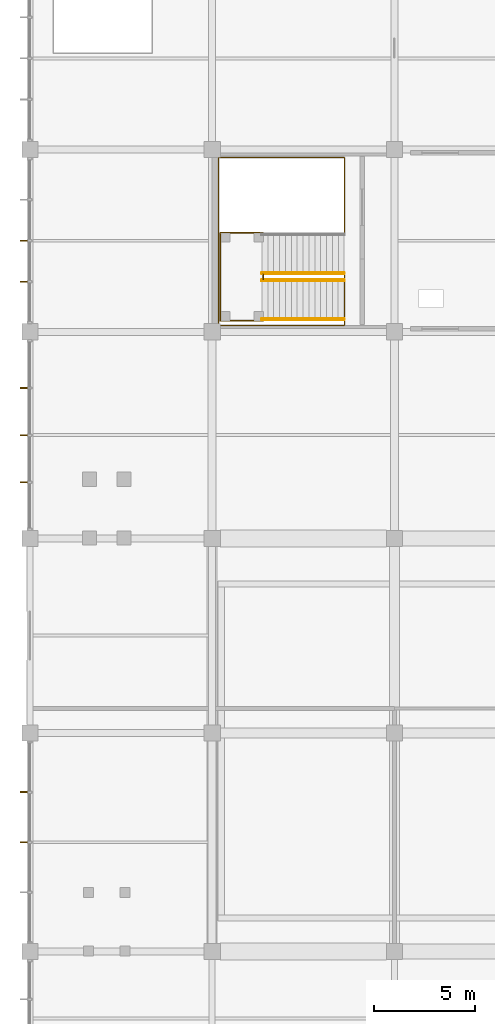
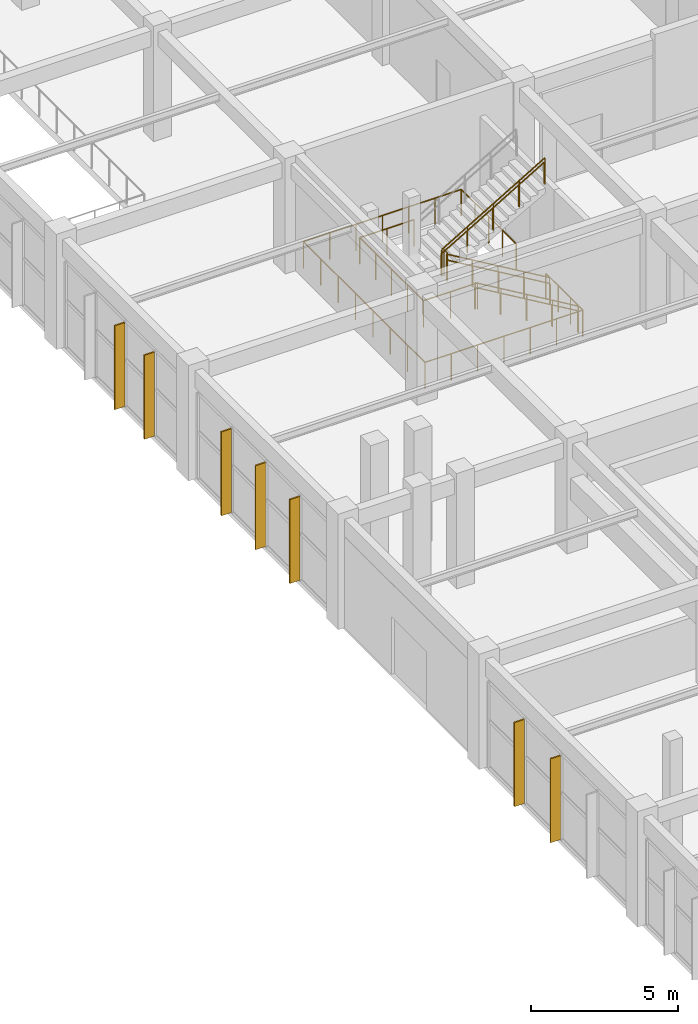
# One storey, part 65 of 82: 9 railings, 7 shading devices.
"""IFC4 building model written with IfcOpenShell, lengths in metres."""

import ifcopenshell
import ifcopenshell.guid

model = None  # the IFC model being written
_history = None  # IfcOwnerHistory: only IFC2X3 demands one
_inside = {}  # id of a spatial element -> (the spatial element, [elements in it])
_under = {}  # id of a project, library or spatial element -> (it, [spatial elements below it])
_declared = {}  # id of a project -> (the project, [libraries it declares])
_typed = {}  # id of a type object -> (the type object, [elements of that type])
_made_of = {}  # id of a material, layer set ... -> (it, [elements and type objects made of it])


def new_model(schema):
    """Start an empty IFC model of exactly this schema.

    Asked for "IFC4X3", IfcOpenShell would pick the latest addendum, in which some entities
    have other attributes; the version numbers below select the first issue.
    IFC2X3 requires an IfcOwnerHistory on every rooted entity: one is made here for all.
    """
    global model, _history
    if schema == "IFC4X3":
        model = ifcopenshell.file(schema_version=(4, 3, 0, 0))
    else:
        model = ifcopenshell.file(schema=schema)
    _inside.clear()
    _under.clear()
    _declared.clear()
    _typed.clear()
    _made_of.clear()
    _history = None
    if model.schema == "IFC2X3":
        org = make("IfcOrganization", Name="unknown")
        user = make(
            "IfcPersonAndOrganization",
            ThePerson=make("IfcPerson", FamilyName="unknown"),
            TheOrganization=org,
        )
        app = make(
            "IfcApplication",
            ApplicationDeveloper=org,
            Version="unknown",
            ApplicationFullName="unknown",
            ApplicationIdentifier="unknown",
        )
        _history = make(
            "IfcOwnerHistory",
            OwningUser=user,
            OwningApplication=app,
            ChangeAction="ADDED",
            CreationDate=0,
        )
    return model


def make(cls, **values):
    """One entity of the class cls with the attributes given. An attribute that is None is left unset."""
    return model.create_entity(
        cls, **{name: value for name, value in values.items() if value is not None}
    )


def rooted(cls, **values):
    """An entity with a GlobalId (a new one), such as an element, a storey or a relation."""
    return make(cls, GlobalId=ifcopenshell.guid.new(), OwnerHistory=_history, **values)


def si_unit(unit_type, name, prefix=None):
    """IfcSIUnit, for example si_unit("LENGTHUNIT", "METRE", prefix="MILLI")."""
    return make("IfcSIUnit", UnitType=unit_type, Prefix=prefix, Name=name)


def assignment(units):
    """IfcUnitAssignment: the units of a project."""
    return None if units is None else make("IfcUnitAssignment", Units=units)


def point(xyz):
    """IfcCartesianPoint."""
    return None if xyz is None else make("IfcCartesianPoint", Coordinates=xyz)


def direction(xyz):
    """IfcDirection."""
    return None if xyz is None else make("IfcDirection", DirectionRatios=xyz)


def frame(location, z_axis=None, x_axis=None):
    """IfcAxis2Placement3D, a coordinate frame: its origin and axes. An axis left out is left unset."""
    return make(
        "IfcAxis2Placement3D",
        Location=point(location),
        Axis=direction(z_axis),
        RefDirection=direction(x_axis),
    )


def frame_2d(location, x_axis=None):
    """IfcAxis2Placement2D, a coordinate frame in the plane: its origin and x axis."""
    return make(
        "IfcAxis2Placement2D", Location=point(location), RefDirection=direction(x_axis)
    )


def origin():
    """The frame at (0, 0, 0) with its axes left unset."""
    return frame((0.0, 0.0, 0.0))


def origin_2d():
    """The frame at (0, 0) in the plane with its x axis left unset."""
    return frame_2d((0.0, 0.0))


def place(relative_to, where):
    """IfcLocalPlacement: puts the frame where relative to a parent placement (None: the world)."""
    return make(
        "IfcLocalPlacement", PlacementRelTo=relative_to, RelativePlacement=where
    )


def context(
    kind, dimensions, precision=None, world=None, true_north=None, identifier=None
):
    """IfcGeometricRepresentationContext, for example the 3D "Model" context."""
    return make(
        "IfcGeometricRepresentationContext",
        ContextIdentifier=identifier,
        ContextType=kind,
        CoordinateSpaceDimension=dimensions,
        Precision=precision,
        WorldCoordinateSystem=world,
        TrueNorth=true_north,
    )


def subcontext(parent, identifier, kind, view, scale=None):
    """IfcGeometricRepresentationSubContext, for example "Body" below "Model"."""
    return make(
        "IfcGeometricRepresentationSubContext",
        ContextIdentifier=identifier,
        ContextType=kind,
        ParentContext=parent,
        TargetScale=scale,
        TargetView=view,
    )


def project(units=None, contexts=None):
    """IfcProject with its units and contexts."""
    return rooted(
        "IfcProject",
        Name="project",
        RepresentationContexts=contexts,
        UnitsInContext=assignment(units),
    )


def spatial(cls, under=None, at=None, **own):
    """A site, building, storey or space (cls), placed at a placement, below another one or the project."""
    s = rooted(cls, ObjectPlacement=at, **own)
    if under is not None:
        _under.setdefault(under.id(), (under, []))[1].append(s)
    return s


def profile(cls, at=None, kind="AREA", **sizes):
    """A parametric profile (cls). Its sizes go by their IFC names, for example OverallWidth=200.0."""
    return make(cls, ProfileType=kind, Position=at, **sizes)


def rectangle(**sizes):
    """IfcRectangleProfileDef."""
    return profile("IfcRectangleProfileDef", **sizes)


def circle(**sizes):
    """IfcCircleProfileDef."""
    return profile("IfcCircleProfileDef", **sizes)


def extrude(swept, where, along, depth):
    """IfcExtrudedAreaSolid: the profile swept, set in the frame where, extruded along a direction by depth."""
    return make(
        "IfcExtrudedAreaSolid",
        SweptArea=swept,
        Position=where,
        ExtrudedDirection=direction(along),
        Depth=depth,
    )


def shape(context_of_items, identifier, shape_type, items):
    """IfcShapeRepresentation: the items that make up one representation, for example the "Body"."""
    return make(
        "IfcShapeRepresentation",
        ContextOfItems=context_of_items,
        RepresentationIdentifier=identifier,
        RepresentationType=shape_type,
        Items=items,
    )


def material(Name=None, Category=None):
    """IfcMaterial."""
    return make("IfcMaterial", Name=Name, Category=Category)


def made_of(thing, what):
    """Note that an element or type object is made of a material, layer set ...; save() writes the relation."""
    if what is not None:
        _made_of.setdefault(what.id(), (what, []))[1].append(thing)
    return thing


def type_object(cls, material=None, **own):
    """A type object (cls), such as IfcWallType, which elements share."""
    return made_of(rooted(cls, **own), material)


def element(
    cls,
    number,
    at=None,
    inside=None,
    cuts=None,
    type_object=None,
    material=None,
    context=None,
    identifier="Body",
    shape_type=None,
    held_by="IfcProductDefinitionShape",
    body=None,
    shapes=None,
    **own,
):
    """One element of the class cls, such as IfcWall. Its Tag is "e" and its number.

    at: its placement. inside: the storey or other place that contains it. cuts: it is an
    opening in that element (IfcRelVoidsElement). A single representation is given by context,
    identifier, shape_type and body (its items); several are given by shapes. held_by: the class
    of the entity that holds the representations. save() writes the other relations.
    """
    e = rooted(cls, Tag="e%d" % number, ObjectPlacement=at, **own)
    if body is not None:
        shapes = [shape(context, identifier, shape_type, body)]
    if shapes is not None:
        e.Representation = make(held_by, Representations=shapes)
    if inside is not None:
        _inside.setdefault(inside.id(), (inside, []))[1].append(e)
    if cuts is not None:
        rooted(
            "IfcRelVoidsElement", RelatingBuildingElement=cuts, RelatedOpeningElement=e
        )
    if type_object is not None:
        _typed.setdefault(type_object.id(), (type_object, []))[1].append(e)
    return made_of(e, material)


def aggregate(whole, parts):
    """IfcRelAggregates: a whole, such as a stair, and the parts it consists of."""
    return rooted("IfcRelAggregates", RelatingObject=whole, RelatedObjects=parts)


def save(model, path):
    """Write the relations noted so far, then the file.

    IfcRelAggregates (storeys below a building ...), IfcRelContainedInSpatialStructure (elements
    in a storey), IfcRelDefinesByType, IfcRelAssociatesMaterial and IfcRelDeclares: one each for
    every whole, place, type object, material and project.
    """
    for whole, parts in _under.values():
        aggregate(whole, parts)
    for where, things in _inside.values():
        rooted(
            "IfcRelContainedInSpatialStructure",
            RelatedElements=things,
            RelatingStructure=where,
        )
    for kind, things in _typed.values():
        rooted("IfcRelDefinesByType", RelatedObjects=things, RelatingType=kind)
    for what, things in _made_of.values():
        rooted("IfcRelAssociatesMaterial", RelatedObjects=things, RelatingMaterial=what)
    for by, libraries in _declared.values():
        rooted("IfcRelDeclares", RelatingContext=by, RelatedDefinitions=libraries)
    model.write(path)


model = new_model("IFC4")

# Units and contexts
model_context = context("Model", 3, precision=1e-05, world=origin(), true_north=direction((0.0, 1.0)))
body_context = subcontext(model_context, "Body", "Model", "MODEL_VIEW")
ifc_project = project(units=[si_unit("LENGTHUNIT", "METRE"), si_unit("AREAUNIT", "SQUARE_METRE"), si_unit("VOLUMEUNIT", "CUBIC_METRE"), si_unit("PLANEANGLEUNIT", "RADIAN"), si_unit("MASSUNIT", "GRAM", prefix="KILO")], contexts=[model_context])

# Site, building, storey
site_placement = place(None, origin())
site = spatial("IfcSite", under=ifc_project, at=site_placement, CompositionType="ELEMENT")
building_placement = place(site_placement, origin())
building = spatial("IfcBuilding", under=site, at=building_placement, Name="Suirenkawa Promenade Aquatics Centre", CompositionType="ELEMENT")
storey_placement = place(building_placement, origin())
storey = spatial("IfcBuildingStorey", under=building, at=storey_placement, Name="L00", CompositionType="ELEMENT", Elevation=0.0)

# Railings
ifc_material_1 = material(Name="Marine-grade stainless steel Grade 316L", Category="steel")
railing_type_1 = type_object("IfcRailingType", Name="RLT-GUARD-1120", PredefinedType="GUARDRAIL", material=ifc_material_1)
for number, where, name in (
    (1, (15.514892578125, 61.9599609375, 0.0), "Guardrail GRD-01 RL-0061"),
    (2, (15.514892578125, 60.0, 0.0), "Guardrail GRD-01 RL-0063"),
):
    element("IfcRailing", number, at=place(storey_placement, frame(where)), inside=storey, type_object=railing_type_1, Name=name, PredefinedType="GUARDRAIL", context=body_context, shape_type="SweptSolid", body=[
        extrude(circle(Radius=0.02392578125, at=origin_2d()), frame((0.0, 0.0, 1.09619140625), z_axis=(-0.860840976868, 0.0, 0.508874063541), x_axis=(0.0, -1.0, 0.0)), (0.0, 0.0, 1.0), 4.716064453125),
        extrude(circle(Radius=0.02099609375, at=origin_2d()), origin(), (0.0, 0.0, 1.0), 1.072021484375),
        extrude(circle(Radius=0.02099609375, at=origin_2d()), frame((-1.014892578125, 0.0, 0.60009765625)), (0.0, 0.0, 1.0), 1.072021484375),
        extrude(circle(Radius=0.02099609375, at=origin_2d()), frame((-2.02978515625, 0.0, 1.199951171875)), (0.0, 0.0, 1.0), 1.072021484375),
        extrude(circle(Radius=0.02099609375, at=origin_2d()), frame((-3.044921875, 0.0, 1.7998046875)), (0.0, 0.0, 1.0), 1.072021484375),
        extrude(circle(Radius=0.02099609375, at=origin_2d()), frame((-4.059814453125, 0.0, 2.39990234375)), (0.0, 0.0, 1.0), 1.072021484375),
    ])
railing_1_placement = place(storey_placement, frame((11.455078125, 62.27001953125, 2.39990234375)))
element("IfcRailing", 3, at=railing_1_placement, inside=storey, type_object=railing_type_1, Name="Guardrail GRD-01 RL-0065", PredefinedType="GUARDRAIL", context=body_context, shape_type="SweptSolid", body=[
    extrude(circle(Radius=0.02392578125, at=origin_2d()), frame((0.0, 0.0, 1.09619140625), z_axis=(0.860818299379, 0.0, 0.50891242415), x_axis=(0.0, 1.0, 0.0)), (0.0, 0.0, 1.0), 4.71630859375),
    extrude(circle(Radius=0.02099609375, at=origin_2d()), origin(), (0.0, 0.0, 1.0), 1.072021484375),
    extrude(circle(Radius=0.02099609375, at=origin_2d()), frame((1.014892578125, 0.0, 0.60009765625)), (0.0, 0.0, 1.0), 1.072021484375),
    extrude(circle(Radius=0.02099609375, at=origin_2d()), frame((2.02978515625, 0.0, 1.2001953125)), (0.0, 0.0, 1.0), 1.072021484375),
    extrude(circle(Radius=0.02099609375, at=origin_2d()), frame((3.044921875, 0.0, 1.800048828125)), (0.0, 0.0, 1.0), 1.072021484375),
    extrude(circle(Radius=0.02099609375, at=origin_2d()), frame((4.059814453125, 0.0, 2.400146484375)), (0.0, 0.0, 1.0), 1.072021484375),
])
railing_2_placement = place(storey_placement, frame((11.52001953125, 59.949951171875, 2.39990234375)))
element("IfcRailing", 4, at=railing_2_placement, inside=storey, type_object=railing_type_1, Name="Guardrail GRD-01 RL-0069", PredefinedType="GUARDRAIL", context=body_context, shape_type="SweptSolid", body=[
    extrude(circle(Radius=0.02392578125, at=origin_2d()), frame((0.0, 0.0, 1.09619140625), z_axis=(-1.0, 0.0, 0.0), x_axis=(0.0, -1.0, 0.0)), (0.0, 0.0, 1.0), 2.130126953125),
    extrude(circle(Radius=0.02392578125, at=origin_2d()), frame((-2.130126953125, 0.0, 1.09619140625), z_axis=(0.0, 1.0, 0.0), x_axis=(-1.0, 0.0, 0.0)), (0.0, 0.0, 1.0), 4.330078125),
    extrude(circle(Radius=0.02392578125, at=origin_2d()), frame((-2.130126953125, 4.330078125, 1.09619140625), z_axis=(1.0, 0.0, 0.0), x_axis=(0.0, 1.0, 0.0)), (0.0, 0.0, 1.0), 2.130126953125),
    extrude(circle(Radius=0.02099609375, at=origin_2d()), origin(), (0.0, 0.0, 1.0), 1.072021484375),
    extrude(circle(Radius=0.02099609375, at=origin_2d()), frame((-1.06494140625, 0.0, 0.0)), (0.0, 0.0, 1.0), 1.072021484375),
    extrude(circle(Radius=0.02099609375, at=origin_2d()), frame((-2.130126953125, 0.0, 0.0)), (0.0, 0.0, 1.0), 1.072021484375),
    extrude(circle(Radius=0.02099609375, at=origin_2d()), frame((-2.130126953125, 1.08251953125, 0.0)), (0.0, 0.0, 1.0), 1.072021484375),
    extrude(circle(Radius=0.02099609375, at=origin_2d()), frame((-2.130126953125, 2.1650390625, 0.0)), (0.0, 0.0, 1.0), 1.072021484375),
    extrude(circle(Radius=0.02099609375, at=origin_2d()), frame((-2.130126953125, 3.24755859375, 0.0)), (0.0, 0.0, 1.0), 1.072021484375),
    extrude(circle(Radius=0.02099609375, at=origin_2d()), frame((-2.130126953125, 4.330078125, 0.0)), (0.0, 0.0, 1.0), 1.072021484375),
    extrude(circle(Radius=0.02099609375, at=origin_2d()), frame((-1.06494140625, 4.330078125, 0.0)), (0.0, 0.0, 1.0), 1.072021484375),
    extrude(circle(Radius=0.02099609375, at=origin_2d()), frame((0.0, 4.330078125, 0.0)), (0.0, 0.0, 1.0), 1.072021484375),
])
railing_3_placement = place(storey_placement, frame((11.52001953125, 61.989990234375, 2.39990234375)))
element("IfcRailing", 5, at=railing_3_placement, inside=storey, type_object=railing_type_1, Name="Guardrail GRD-01 RL-0070", PredefinedType="GUARDRAIL", context=body_context, shape_type="SweptSolid", body=[
    extrude(circle(Radius=0.02392578125, at=origin_2d()), frame((0.0, 0.0, 1.09619140625), z_axis=(0.0, 1.0, 0.0), x_axis=(-1.0, 0.0, 0.0)), (0.0, 0.0, 1.0), 0.25),
    extrude(circle(Radius=0.02099609375, at=origin_2d()), origin(), (0.0, 0.0, 1.0), 1.072021484375),
    extrude(circle(Radius=0.02099609375, at=origin_2d()), frame((0.0, 0.25, 0.0)), (0.0, 0.0, 1.0), 1.072021484375),
])
railing_4_placement = place(storey_placement, frame((15.530029296875, 64.260009765625, 0.0)))
element("IfcRailing", 6, at=railing_4_placement, inside=storey, type_object=railing_type_1, Name="Guardrail GRD-01 RL-0407", PredefinedType="GUARDRAIL", context=body_context, shape_type="SweptSolid", body=[
    extrude(circle(Radius=0.02392578125, at=origin_2d()), frame((0.0, 0.0, 1.09619140625), z_axis=(0.0, 1.0, 0.0), x_axis=(-1.0, 0.0, 0.0)), (0.0, 0.0, 1.0), 3.739990234375),
    extrude(circle(Radius=0.02392578125, at=origin_2d()), frame((0.0, 3.739990234375, 1.09619140625), z_axis=(-1.0, 0.0, 0.0), x_axis=(0.0, -1.0, 0.0)), (0.0, 0.0, 1.0), 6.2099609375),
    extrude(circle(Radius=0.02392578125, at=origin_2d()), frame((-6.2099609375, 3.739990234375, 1.09619140625), z_axis=(0.0, -1.0, 0.0), x_axis=(1.0, 0.0, 0.0)), (0.0, 0.0, 1.0), 8.280029296875),
    extrude(circle(Radius=0.02392578125, at=origin_2d()), frame((-6.2099609375, -4.5400390625, 1.09619140625), z_axis=(1.0, 0.0, 0.0), x_axis=(0.0, 1.0, 0.0)), (0.0, 0.0, 1.0), 6.2099609375),
    extrude(circle(Radius=0.02392578125, at=origin_2d()), frame((0.0, -4.5400390625, 1.09619140625), z_axis=(0.0, 1.0, 0.0), x_axis=(-1.0, 0.0, 0.0)), (0.0, 0.0, 1.0), 2.52001953125),
    extrude(circle(Radius=0.02099609375, at=origin_2d()), origin(), (0.0, 0.0, 1.0), 1.072021484375),
    extrude(circle(Radius=0.02099609375, at=origin_2d()), frame((0.0, 0.93505859375, 0.0)), (0.0, 0.0, 1.0), 1.072021484375),
    extrude(circle(Radius=0.02099609375, at=origin_2d()), frame((0.0, 1.8701171875, 0.0)), (0.0, 0.0, 1.0), 1.072021484375),
    extrude(circle(Radius=0.02099609375, at=origin_2d()), frame((0.0, 2.804931640625, 0.0)), (0.0, 0.0, 1.0), 1.072021484375),
    extrude(circle(Radius=0.02099609375, at=origin_2d()), frame((0.0, 3.739990234375, 0.0)), (0.0, 0.0, 1.0), 1.072021484375),
    extrude(circle(Radius=0.02099609375, at=origin_2d()), frame((-1.034912109375, 3.739990234375, 0.0)), (0.0, 0.0, 1.0), 1.072021484375),
    extrude(circle(Radius=0.02099609375, at=origin_2d()), frame((-2.070068359375, 3.739990234375, 0.0)), (0.0, 0.0, 1.0), 1.072021484375),
    extrude(circle(Radius=0.02099609375, at=origin_2d()), frame((-3.10498046875, 3.739990234375, 0.0)), (0.0, 0.0, 1.0), 1.072021484375),
    extrude(circle(Radius=0.02099609375, at=origin_2d()), frame((-4.139892578125, 3.739990234375, 0.0)), (0.0, 0.0, 1.0), 1.072021484375),
    extrude(circle(Radius=0.02099609375, at=origin_2d()), frame((-5.175048828125, 3.739990234375, 0.0)), (0.0, 0.0, 1.0), 1.072021484375),
    extrude(circle(Radius=0.02099609375, at=origin_2d()), frame((-6.2099609375, 3.739990234375, 0.0)), (0.0, 0.0, 1.0), 1.072021484375),
    extrude(circle(Radius=0.02099609375, at=origin_2d()), frame((-6.2099609375, 2.55712890625, 0.0)), (0.0, 0.0, 1.0), 1.072021484375),
    extrude(circle(Radius=0.02099609375, at=origin_2d()), frame((-6.2099609375, 1.374267578125, 0.0)), (0.0, 0.0, 1.0), 1.072021484375),
    extrude(circle(Radius=0.02099609375, at=origin_2d()), frame((-6.2099609375, 0.19140625, 0.0)), (0.0, 0.0, 1.0), 1.072021484375),
    extrude(circle(Radius=0.02099609375, at=origin_2d()), frame((-6.2099609375, -0.991455078125, 0.0)), (0.0, 0.0, 1.0), 1.072021484375),
    extrude(circle(Radius=0.02099609375, at=origin_2d()), frame((-6.2099609375, -2.17431640625, 0.0)), (0.0, 0.0, 1.0), 1.072021484375),
    extrude(circle(Radius=0.02099609375, at=origin_2d()), frame((-6.2099609375, -3.357177734375, 0.0)), (0.0, 0.0, 1.0), 1.072021484375),
    extrude(circle(Radius=0.02099609375, at=origin_2d()), frame((-6.2099609375, -4.5400390625, 0.0)), (0.0, 0.0, 1.0), 1.072021484375),
    extrude(circle(Radius=0.02099609375, at=origin_2d()), frame((-5.175048828125, -4.5400390625, 0.0)), (0.0, 0.0, 1.0), 1.072021484375),
    extrude(circle(Radius=0.02099609375, at=origin_2d()), frame((-4.139892578125, -4.5400390625, 0.0)), (0.0, 0.0, 1.0), 1.072021484375),
    extrude(circle(Radius=0.02099609375, at=origin_2d()), frame((-3.10498046875, -4.5400390625, 0.0)), (0.0, 0.0, 1.0), 1.072021484375),
    extrude(circle(Radius=0.02099609375, at=origin_2d()), frame((-2.070068359375, -4.5400390625, 0.0)), (0.0, 0.0, 1.0), 1.072021484375),
    extrude(circle(Radius=0.02099609375, at=origin_2d()), frame((-1.034912109375, -4.5400390625, 0.0)), (0.0, 0.0, 1.0), 1.072021484375),
    extrude(circle(Radius=0.02099609375, at=origin_2d()), frame((0.0, -4.5400390625, 0.0)), (0.0, 0.0, 1.0), 1.072021484375),
    extrude(circle(Radius=0.02099609375, at=origin_2d()), frame((0.0, -3.699951171875, 0.0)), (0.0, 0.0, 1.0), 1.072021484375),
    extrude(circle(Radius=0.02099609375, at=origin_2d()), frame((0.0, -2.860107421875, 0.0)), (0.0, 0.0, 1.0), 1.072021484375),
    extrude(circle(Radius=0.02099609375, at=origin_2d()), frame((0.0, -2.02001953125, 0.0)), (0.0, 0.0, 1.0), 1.072021484375),
])
railing_type_2 = type_object("IfcRailingType", Name="RLT-HANDRAIL-900", PredefinedType="HANDRAIL", material=ifc_material_1)
for number, where, name in (
    (7, (15.514892578125, 61.909912109375, 0.0), "Handrail HRL-01 RL-0062"),
    (8, (15.514892578125, 60.050048828125, 0.0), "Handrail HRL-01 RL-0064"),
):
    element("IfcRailing", number, at=place(storey_placement, frame(where)), inside=storey, type_object=railing_type_2, Name=name, PredefinedType="HANDRAIL", context=body_context, shape_type="SweptSolid", body=[
        extrude(circle(Radius=0.02392578125, at=origin_2d()), frame((0.0, 0.0, 0.8759765625), z_axis=(-0.860840976868, 0.0, 0.508874063541), x_axis=(0.0, -1.0, 0.0)), (0.0, 0.0, 1.0), 4.716064453125),
        extrude(circle(Radius=0.02099609375, at=origin_2d()), origin(), (0.0, 0.0, 1.0), 0.851806640625),
        extrude(circle(Radius=0.02099609375, at=origin_2d()), frame((-1.014892578125, 0.0, 0.60009765625)), (0.0, 0.0, 1.0), 0.851806640625),
        extrude(circle(Radius=0.02099609375, at=origin_2d()), frame((-2.02978515625, 0.0, 1.199951171875)), (0.0, 0.0, 1.0), 0.851806640625),
        extrude(circle(Radius=0.02099609375, at=origin_2d()), frame((-3.044921875, 0.0, 1.7998046875)), (0.0, 0.0, 1.0), 0.851806640625),
        extrude(circle(Radius=0.02099609375, at=origin_2d()), frame((-4.059814453125, 0.0, 2.39990234375)), (0.0, 0.0, 1.0), 0.851806640625),
    ])
railing_5_placement = place(storey_placement, frame((11.455078125, 62.320068359375, 2.39990234375)))
element("IfcRailing", 9, at=railing_5_placement, inside=storey, type_object=railing_type_2, Name="Handrail HRL-01 RL-0066", PredefinedType="HANDRAIL", context=body_context, shape_type="SweptSolid", body=[
    extrude(circle(Radius=0.02392578125, at=origin_2d()), frame((0.0, 0.0, 0.8759765625), z_axis=(0.860818299379, 0.0, 0.50891242415), x_axis=(0.0, 1.0, 0.0)), (0.0, 0.0, 1.0), 4.71630859375),
    extrude(circle(Radius=0.02099609375, at=origin_2d()), origin(), (0.0, 0.0, 1.0), 0.851806640625),
    extrude(circle(Radius=0.02099609375, at=origin_2d()), frame((1.014892578125, 0.0, 0.60009765625)), (0.0, 0.0, 1.0), 0.851806640625),
    extrude(circle(Radius=0.02099609375, at=origin_2d()), frame((2.02978515625, 0.0, 1.2001953125)), (0.0, 0.0, 1.0), 0.851806640625),
    extrude(circle(Radius=0.02099609375, at=origin_2d()), frame((3.044921875, 0.0, 1.800048828125)), (0.0, 0.0, 1.0), 0.851806640625),
    extrude(circle(Radius=0.02099609375, at=origin_2d()), frame((4.059814453125, 0.0, 2.400146484375)), (0.0, 0.0, 1.0), 0.851806640625),
])

# Shading devices
ifc_material_2 = material(Name="Anodised aluminium 6063-T6", Category="aluminium")
shading_device_type = type_object("IfcShadingDeviceType", Name="SDT-KOUSHI-400", PredefinedType="USERDEFINED", material=ifc_material_2)
for number, where, z_axis, x_axis, name in (
    (10, (-0.287109375, 34.199951171875, 0.0400390625), (0.0, 0.0, 1.0), (-1.0, 0.0, 0.0), "Vertical solar shading fin FN-01 FIN-0072"),
    (11, (-0.287109375, 36.675537109375, 0.0400390625), (0.0, 0.0, 1.0), (-1.0, 0.0, 0.0), "Vertical solar shading fin FN-01 FIN-0073"),
    (12, (-0.287109375, 51.974609375, 0.0400390625), (0.0, 0.0, 1.0), (-1.0, 0.0, 0.0), "Vertical solar shading fin FN-01 FIN-0077"),
    (13, (-0.287109375, 54.300048828125, 0.0400390625), (0.0, 0.0, 1.0), (-1.0, 0.0, 0.0), "Vertical solar shading fin FN-01 FIN-0078"),
    (14, (-0.287109375, 56.62548828125, 0.0400390625), (0.0, 0.0, 1.0), (-1.0, 0.0, 0.0), "Vertical solar shading fin FN-01 FIN-0079"),
    (15, (-0.287109375, 61.87451171875, 0.0400390625), (0.0, 0.0, 1.0), (-1.0, 0.0, 0.0), "Vertical solar shading fin FN-01 FIN-0083"),
    (16, (-0.287109375, 63.89990234375, 0.0400390625), (0.0, 0.0, 1.0), (-1.0, 0.0, 0.0), "Vertical solar shading fin FN-01 FIN-0084"),
):
    element("IfcShadingDevice", number, at=place(storey_placement, frame(where, z_axis=z_axis, x_axis=x_axis)), inside=storey, type_object=shading_device_type, Name=name, ObjectType="FIN", PredefinedType="USERDEFINED", context=body_context, shape_type="SweptSolid", body=[
        extrude(rectangle(XDim=0.39990234375, YDim=0.06005859375, at=origin_2d()), origin(), (0.0, 0.0, 1.0), 3.489990234375),
    ])

save(model, "model.ifc")
